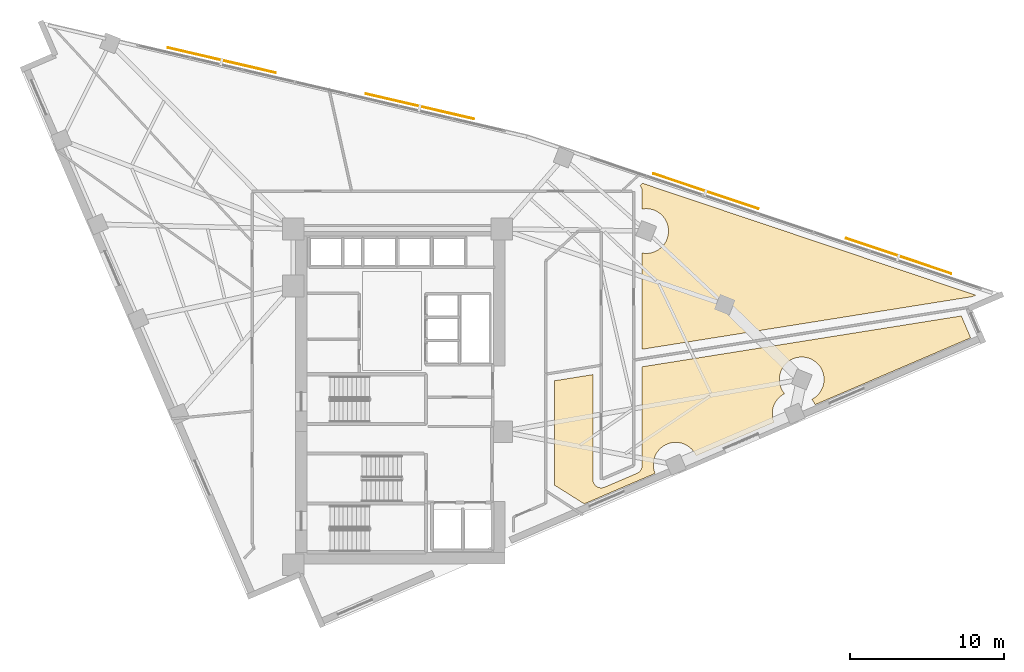
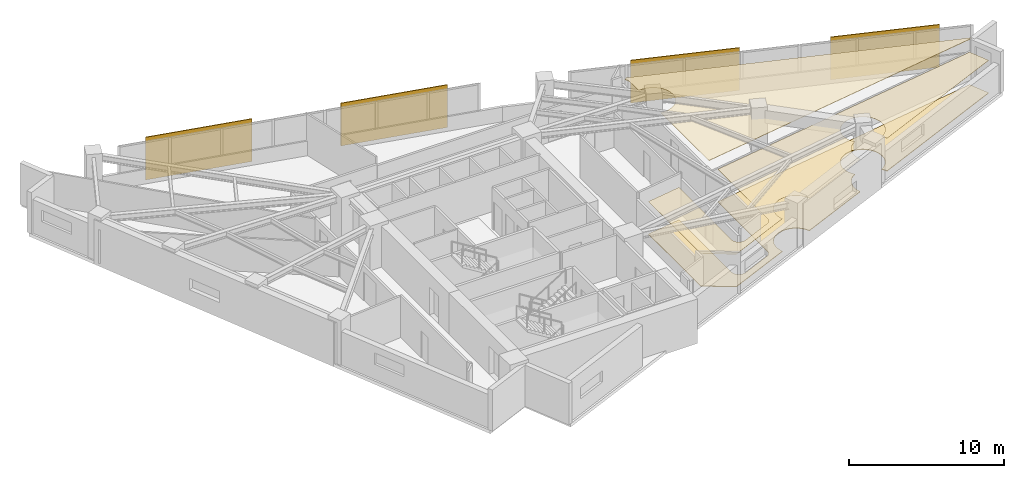
# One storey, part 14 of 14: 4 shading devices, 3 coverings.
"""IFC4 building model written with IfcOpenShell, lengths in metres."""

import ifcopenshell
import ifcopenshell.guid

model = None  # the IFC model being written
_history = None  # IfcOwnerHistory: only IFC2X3 demands one
_inside = {}  # id of a spatial element -> (the spatial element, [elements in it])
_under = {}  # id of a project, library or spatial element -> (it, [spatial elements below it])
_declared = {}  # id of a project -> (the project, [libraries it declares])
_typed = {}  # id of a type object -> (the type object, [elements of that type])
_made_of = {}  # id of a material, layer set ... -> (it, [elements and type objects made of it])


def new_model(schema):
    """Start an empty IFC model of exactly this schema.

    Asked for "IFC4X3", IfcOpenShell would pick the latest addendum, in which some entities
    have other attributes; the version numbers below select the first issue.
    IFC2X3 requires an IfcOwnerHistory on every rooted entity: one is made here for all.
    """
    global model, _history
    if schema == "IFC4X3":
        model = ifcopenshell.file(schema_version=(4, 3, 0, 0))
    else:
        model = ifcopenshell.file(schema=schema)
    _inside.clear()
    _under.clear()
    _declared.clear()
    _typed.clear()
    _made_of.clear()
    _history = None
    if model.schema == "IFC2X3":
        org = make("IfcOrganization", Name="unknown")
        user = make(
            "IfcPersonAndOrganization",
            ThePerson=make("IfcPerson", FamilyName="unknown"),
            TheOrganization=org,
        )
        app = make(
            "IfcApplication",
            ApplicationDeveloper=org,
            Version="unknown",
            ApplicationFullName="unknown",
            ApplicationIdentifier="unknown",
        )
        _history = make(
            "IfcOwnerHistory",
            OwningUser=user,
            OwningApplication=app,
            ChangeAction="ADDED",
            CreationDate=0,
        )
    return model


def make(cls, **values):
    """One entity of the class cls with the attributes given. An attribute that is None is left unset."""
    return model.create_entity(
        cls, **{name: value for name, value in values.items() if value is not None}
    )


def rooted(cls, **values):
    """An entity with a GlobalId (a new one), such as an element, a storey or a relation."""
    return make(cls, GlobalId=ifcopenshell.guid.new(), OwnerHistory=_history, **values)


def si_unit(unit_type, name, prefix=None):
    """IfcSIUnit, for example si_unit("LENGTHUNIT", "METRE", prefix="MILLI")."""
    return make("IfcSIUnit", UnitType=unit_type, Prefix=prefix, Name=name)


def assignment(units):
    """IfcUnitAssignment: the units of a project."""
    return None if units is None else make("IfcUnitAssignment", Units=units)


def point(xyz):
    """IfcCartesianPoint."""
    return None if xyz is None else make("IfcCartesianPoint", Coordinates=xyz)


def direction(xyz):
    """IfcDirection."""
    return None if xyz is None else make("IfcDirection", DirectionRatios=xyz)


def frame(location, z_axis=None, x_axis=None):
    """IfcAxis2Placement3D, a coordinate frame: its origin and axes. An axis left out is left unset."""
    return make(
        "IfcAxis2Placement3D",
        Location=point(location),
        Axis=direction(z_axis),
        RefDirection=direction(x_axis),
    )


def frame_2d(location, x_axis=None):
    """IfcAxis2Placement2D, a coordinate frame in the plane: its origin and x axis."""
    return make(
        "IfcAxis2Placement2D", Location=point(location), RefDirection=direction(x_axis)
    )


def origin():
    """The frame at (0, 0, 0) with its axes left unset."""
    return frame((0.0, 0.0, 0.0))


def origin_2d():
    """The frame at (0, 0) in the plane with its x axis left unset."""
    return frame_2d((0.0, 0.0))


def place(relative_to, where):
    """IfcLocalPlacement: puts the frame where relative to a parent placement (None: the world)."""
    return make(
        "IfcLocalPlacement", PlacementRelTo=relative_to, RelativePlacement=where
    )


def context(
    kind, dimensions, precision=None, world=None, true_north=None, identifier=None
):
    """IfcGeometricRepresentationContext, for example the 3D "Model" context."""
    return make(
        "IfcGeometricRepresentationContext",
        ContextIdentifier=identifier,
        ContextType=kind,
        CoordinateSpaceDimension=dimensions,
        Precision=precision,
        WorldCoordinateSystem=world,
        TrueNorth=true_north,
    )


def subcontext(parent, identifier, kind, view, scale=None):
    """IfcGeometricRepresentationSubContext, for example "Body" below "Model"."""
    return make(
        "IfcGeometricRepresentationSubContext",
        ContextIdentifier=identifier,
        ContextType=kind,
        ParentContext=parent,
        TargetScale=scale,
        TargetView=view,
    )


def project(units=None, contexts=None):
    """IfcProject with its units and contexts."""
    return rooted(
        "IfcProject",
        Name="project",
        RepresentationContexts=contexts,
        UnitsInContext=assignment(units),
    )


def spatial(cls, under=None, at=None, **own):
    """A site, building, storey or space (cls), placed at a placement, below another one or the project."""
    s = rooted(cls, ObjectPlacement=at, **own)
    if under is not None:
        _under.setdefault(under.id(), (under, []))[1].append(s)
    return s


def polyline(points):
    """IfcPolyline through the points."""
    return make("IfcPolyline", Points=[point(p) for p in points])


def profile(cls, at=None, kind="AREA", **sizes):
    """A parametric profile (cls). Its sizes go by their IFC names, for example OverallWidth=200.0."""
    return make(cls, ProfileType=kind, Position=at, **sizes)


def rectangle(**sizes):
    """IfcRectangleProfileDef."""
    return profile("IfcRectangleProfileDef", **sizes)


def outline(outer, holes=None, kind="AREA"):
    """IfcArbitraryClosedProfileDef: a profile drawn as a closed curve; with holes, ...WithVoids."""
    if holes is None:
        return make("IfcArbitraryClosedProfileDef", ProfileType=kind, OuterCurve=outer)
    return make(
        "IfcArbitraryProfileDefWithVoids",
        ProfileType=kind,
        OuterCurve=outer,
        InnerCurves=holes,
    )


def extrude(swept, where, along, depth):
    """IfcExtrudedAreaSolid: the profile swept, set in the frame where, extruded along a direction by depth."""
    return make(
        "IfcExtrudedAreaSolid",
        SweptArea=swept,
        Position=where,
        ExtrudedDirection=direction(along),
        Depth=depth,
    )


def shape(context_of_items, identifier, shape_type, items):
    """IfcShapeRepresentation: the items that make up one representation, for example the "Body"."""
    return make(
        "IfcShapeRepresentation",
        ContextOfItems=context_of_items,
        RepresentationIdentifier=identifier,
        RepresentationType=shape_type,
        Items=items,
    )


def material(Name=None, Category=None):
    """IfcMaterial."""
    return make("IfcMaterial", Name=Name, Category=Category)


def layer(
    of_material, thickness, ventilated=None, Name=None, Category=None, Priority=None
):
    """IfcMaterialLayer: one layer of a wall or slab, of a material (None: an air gap)."""
    return make(
        "IfcMaterialLayer",
        Material=of_material,
        LayerThickness=thickness,
        IsVentilated=ventilated,
        Name=Name,
        Category=Category,
        Priority=Priority,
    )


def layer_set(layers, Name=None):
    """IfcMaterialLayerSet."""
    return make("IfcMaterialLayerSet", MaterialLayers=layers, LayerSetName=Name)


def made_of(thing, what):
    """Note that an element or type object is made of a material, layer set ...; save() writes the relation."""
    if what is not None:
        _made_of.setdefault(what.id(), (what, []))[1].append(thing)
    return thing


def type_object(cls, material=None, **own):
    """A type object (cls), such as IfcWallType, which elements share."""
    return made_of(rooted(cls, **own), material)


def element(
    cls,
    number,
    at=None,
    inside=None,
    cuts=None,
    type_object=None,
    material=None,
    context=None,
    identifier="Body",
    shape_type=None,
    held_by="IfcProductDefinitionShape",
    body=None,
    shapes=None,
    **own,
):
    """One element of the class cls, such as IfcWall. Its Tag is "e" and its number.

    at: its placement. inside: the storey or other place that contains it. cuts: it is an
    opening in that element (IfcRelVoidsElement). A single representation is given by context,
    identifier, shape_type and body (its items); several are given by shapes. held_by: the class
    of the entity that holds the representations. save() writes the other relations.
    """
    e = rooted(cls, Tag="e%d" % number, ObjectPlacement=at, **own)
    if body is not None:
        shapes = [shape(context, identifier, shape_type, body)]
    if shapes is not None:
        e.Representation = make(held_by, Representations=shapes)
    if inside is not None:
        _inside.setdefault(inside.id(), (inside, []))[1].append(e)
    if cuts is not None:
        rooted(
            "IfcRelVoidsElement", RelatingBuildingElement=cuts, RelatedOpeningElement=e
        )
    if type_object is not None:
        _typed.setdefault(type_object.id(), (type_object, []))[1].append(e)
    return made_of(e, material)


def aggregate(whole, parts):
    """IfcRelAggregates: a whole, such as a stair, and the parts it consists of."""
    return rooted("IfcRelAggregates", RelatingObject=whole, RelatedObjects=parts)


def save(model, path):
    """Write the relations noted so far, then the file.

    IfcRelAggregates (storeys below a building ...), IfcRelContainedInSpatialStructure (elements
    in a storey), IfcRelDefinesByType, IfcRelAssociatesMaterial and IfcRelDeclares: one each for
    every whole, place, type object, material and project.
    """
    for whole, parts in _under.values():
        aggregate(whole, parts)
    for where, things in _inside.values():
        rooted(
            "IfcRelContainedInSpatialStructure",
            RelatedElements=things,
            RelatingStructure=where,
        )
    for kind, things in _typed.values():
        rooted("IfcRelDefinesByType", RelatedObjects=things, RelatingType=kind)
    for what, things in _made_of.values():
        rooted("IfcRelAssociatesMaterial", RelatedObjects=things, RelatingMaterial=what)
    for by, libraries in _declared.values():
        rooted("IfcRelDeclares", RelatingContext=by, RelatedDefinitions=libraries)
    model.write(path)


model = new_model("IFC4")

# Units and contexts
model_context = context("Model", 3, precision=1e-05, world=origin(), true_north=direction((0.0, 1.0)))
body_context = subcontext(model_context, "Body", "Model", "MODEL_VIEW")
ifc_project = project(units=[si_unit("LENGTHUNIT", "METRE"), si_unit("AREAUNIT", "SQUARE_METRE"), si_unit("VOLUMEUNIT", "CUBIC_METRE"), si_unit("PLANEANGLEUNIT", "RADIAN"), si_unit("MASSUNIT", "GRAM", prefix="KILO")], contexts=[model_context])

# Site, building, storey
site_placement = place(None, origin())
site = spatial("IfcSite", under=ifc_project, at=site_placement, CompositionType="ELEMENT")
building_placement = place(site_placement, origin())
building = spatial("IfcBuilding", under=site, at=building_placement, Name="Narakoshi Arena Tower", CompositionType="ELEMENT")
storey_placement = place(building_placement, frame((0.0, 0.0, 179.10009765625)))
storey = spatial("IfcBuildingStorey", under=building, at=storey_placement, Name="L48", CompositionType="ELEMENT", Elevation=179.10009765625)

# Coverings
ifc_material_1 = material(Name="Acoustic mineral-fibre ceiling tile")
ifc_layer_1 = layer(ifc_material_1, 0.02001953125)
ifc_layer_set_1 = layer_set([ifc_layer_1], Name="Acoustic mineral-fibre ceiling tile")
covering_type_1 = type_object("IfcCoveringType", Name="COV-CLG-AC20", PredefinedType="CEILING", material=ifc_layer_set_1)
covering_1_placement = place(storey_placement, frame((0.0, 0.0, 2.58984375)))
element("IfcCovering", 1, at=covering_1_placement, inside=storey, type_object=covering_type_1, Name="L48 Suspended Acoustic Ceiling 1", PredefinedType="CEILING", context=body_context, shape_type="SweptSolid", body=[
    extrude(outline(polyline([(115.97412109375, 49.435791015625), (105.87646484375, 45.09765625), (105.828125, 45.199951171875), (105.7548828125, 45.322021484375), (105.670166015625, 45.436279296875), (105.662109375, 45.4453125), (105.693359375, 45.4599609375), (105.8154296875, 45.533203125), (105.9296875, 45.617919921875), (106.03515625, 45.71337890625), (106.130859375, 45.81884765625), (106.215576171875, 45.93310546875), (106.288818359375, 46.055419921875), (106.349609375, 46.183837890625), (106.3974609375, 46.31787109375), (106.431884765625, 46.455810546875), (106.452880859375, 46.5966796875), (106.4599609375, 46.73876953125), (106.452880859375, 46.880859375), (106.431884765625, 47.021728515625), (106.3974609375, 47.15966796875), (106.349609375, 47.293701171875), (106.288818359375, 47.42236328125), (106.215576171875, 47.54443359375), (106.130859375, 47.65869140625), (106.03515625, 47.76416015625), (105.9296875, 47.859619140625), (105.8154296875, 47.9443359375), (105.693359375, 48.017578125), (105.564697265625, 48.078369140625), (105.430908203125, 48.12646484375), (105.292724609375, 48.160888671875), (105.152099609375, 48.181884765625), (105.010009765625, 48.188720703125), (104.867919921875, 48.181884765625), (104.72705078125, 48.160888671875), (104.589111328125, 48.12646484375), (104.455078125, 48.078369140625), (104.326416015625, 48.017578125), (104.204345703125, 47.9443359375), (104.090087890625, 47.859619140625), (103.984619140625, 47.76416015625), (103.888916015625, 47.65869140625), (103.80419921875, 47.54443359375), (103.731201171875, 47.42236328125), (103.67041015625, 47.293701171875), (103.622314453125, 47.15966796875), (103.587890625, 47.021728515625), (103.56689453125, 46.880859375), (103.559814453125, 46.73876953125), (103.56689453125, 46.5966796875), (103.587890625, 46.455810546875), (103.622314453125, 46.31787109375), (103.67041015625, 46.183837890625), (103.731201171875, 46.055419921875), (103.80419921875, 45.93310546875), (103.888916015625, 45.81884765625), (103.897216796875, 45.81005859375), (103.86572265625, 45.79541015625), (103.74365234375, 45.72216796875), (103.62939453125, 45.637451171875), (103.52392578125, 45.541748046875), (103.428466796875, 45.436279296875), (103.34375, 45.322021484375), (103.2705078125, 45.199951171875), (103.209716796875, 45.0712890625), (103.16162109375, 44.9375), (103.127197265625, 44.79931640625), (103.106201171875, 44.65869140625), (103.099365234375, 44.5166015625), (103.106201171875, 44.37451171875), (103.127197265625, 44.233642578125), (103.16162109375, 44.095703125), (103.209716796875, 43.961669921875), (103.21337890625, 43.95361328125), (98.1572265625, 41.78125), (98.10888671875, 41.883544921875), (98.03564453125, 42.005615234375), (97.950927734375, 42.1201171875), (97.85546875, 42.225341796875), (97.75, 42.321044921875), (97.6357421875, 42.40576171875), (97.513671875, 42.47900390625), (97.385009765625, 42.539794921875), (97.2509765625, 42.587646484375), (97.113037109375, 42.622314453125), (96.97216796875, 42.64306640625), (96.830078125, 42.650146484375), (96.68798828125, 42.64306640625), (96.547119140625, 42.622314453125), (96.4091796875, 42.587646484375), (96.275146484375, 42.539794921875), (96.146484375, 42.47900390625), (96.0244140625, 42.40576171875), (95.91015625, 42.321044921875), (95.8046875, 42.225341796875), (95.709228515625, 42.1201171875), (95.62451171875, 42.005615234375), (95.55126953125, 41.883544921875), (95.490478515625, 41.7548828125), (95.4423828125, 41.62109375), (95.407958984375, 41.48291015625), (95.38720703125, 41.34228515625), (95.380126953125, 41.2001953125), (95.38720703125, 41.05810546875), (95.407958984375, 40.917236328125), (95.4423828125, 40.779296875), (95.490478515625, 40.645263671875), (95.494384765625, 40.63720703125), (90.895751953125, 38.661376953125), (88.949951171875, 39.88427734375), (88.949951171875, 46.647705078125), (91.455078125, 47.046630859375), (91.455078125, 40.248046875), (91.457763671875, 40.19384765625), (91.4658203125, 40.14013671875), (91.47900390625, 40.08740234375), (91.497314453125, 40.036376953125), (91.520751953125, 39.9873046875), (91.548828125, 39.940673828125), (91.581298828125, 39.897216796875), (91.6181640625, 39.857177734375), (91.65869140625, 39.82080078125), (91.702392578125, 39.788818359375), (91.749267578125, 39.76123046875), (91.798583984375, 39.73828125), (91.849853515625, 39.720458984375), (91.902587890625, 39.707763671875), (91.95654296875, 39.7001953125), (92.0107421875, 39.697998046875), (92.06494140625, 39.701416015625), (92.11865234375, 39.7099609375), (92.171142578125, 39.723876953125), (92.22216796875, 39.742919921875), (93.439697265625, 40.265869140625), (94.322021484375, 40.64501953125), (94.3701171875, 40.66845703125), (94.41552734375, 40.696533203125), (94.4580078125, 40.728759765625), (94.497314453125, 40.764892578125), (94.53271484375, 40.8046875), (94.564208984375, 40.847900390625), (94.591552734375, 40.893798828125), (94.614013671875, 40.942138671875), (94.6318359375, 40.992431640625), (94.644775390625, 41.044189453125), (94.65234375, 41.09716796875), (94.655029296875, 41.150390625), (94.655029296875, 47.556396484375), (115.364501953125, 50.85498046875), (115.97412109375, 49.435791015625)])), origin(), (0.0, 0.0, 1.0), 0.02001953125),
])
ifc_material_2 = material(Name="Slatted oak acoustic timber baffle", Category="wood")
ifc_layer_2 = layer(ifc_material_2, 0.034912109375)
ifc_layer_set_2 = layer_set([ifc_layer_2], Name="Slatted oak acoustic timber baffle")
covering_type_2 = type_object("IfcCoveringType", Name="COV-CLG-WD35", PredefinedType="CEILING", material=ifc_layer_set_2)
covering_2_placement = place(storey_placement, frame((0.0, 0.0, 2.574951171875)))
element("IfcCovering", 2, at=covering_2_placement, inside=storey, type_object=covering_type_2, Name="L48 Suspended Acoustic Ceiling 2", PredefinedType="CEILING", context=body_context, shape_type="SweptSolid", body=[
    extrude(outline(polyline([(94.678955078125, 59.462890625), (116.30224609375, 52.20361328125), (116.075927734375, 52.1064453125), (94.655029296875, 48.6943359375), (94.655029296875, 54.941162109375), (94.772705078125, 54.923583984375), (94.914794921875, 54.916748046875), (95.056884765625, 54.923583984375), (95.197509765625, 54.944580078125), (95.335693359375, 54.97900390625), (95.469482421875, 55.027099609375), (95.59814453125, 55.087890625), (95.72021484375, 55.1611328125), (95.834716796875, 55.245849609375), (95.93994140625, 55.34130859375), (96.03564453125, 55.44677734375), (96.120361328125, 55.56103515625), (96.193603515625, 55.68310546875), (96.25439453125, 55.811767578125), (96.30224609375, 55.94580078125), (96.3369140625, 56.083740234375), (96.357666015625, 56.224609375), (96.36474609375, 56.36669921875), (96.357666015625, 56.5087890625), (96.3369140625, 56.649658203125), (96.30224609375, 56.78759765625), (96.25439453125, 56.921630859375), (96.193603515625, 57.05029296875), (96.120361328125, 57.17236328125), (96.03564453125, 57.28662109375), (95.93994140625, 57.39208984375), (95.834716796875, 57.487548828125), (95.72021484375, 57.572265625), (95.59814453125, 57.6455078125), (95.469482421875, 57.706298828125), (95.335693359375, 57.75439453125), (95.197509765625, 57.788818359375), (95.056884765625, 57.809814453125), (94.914794921875, 57.816650390625), (94.772705078125, 57.809814453125), (94.655029296875, 57.792236328125), (94.655029296875, 58.944091796875), (94.65234375, 58.997802734375), (94.644287109375, 59.05126953125), (94.63134765625, 59.103759765625), (94.613037109375, 59.154541015625), (94.590087890625, 59.203369140625), (94.562255859375, 59.24951171875), (94.5302734375, 59.29296875), (94.513916015625, 59.310791015625), (94.678955078125, 59.462890625)])), origin(), (0.0, 0.0, 1.0), 0.034912109375),
])
ifc_material_3 = material(Name="Raised steel access floor panel", Category="steel")
ifc_layer_3 = layer(ifc_material_3, 0.044921875)
ifc_layer_set_3 = layer_set([ifc_layer_3], Name="Raised steel access floor panel")
covering_type_3 = type_object("IfcCoveringType", Name="COV-FLR-RF45", PredefinedType="FLOORING", material=ifc_layer_set_3)
covering_3_placement = place(storey_placement, origin())
element("IfcCovering", 3, at=covering_3_placement, inside=storey, type_object=covering_type_3, Name="L48 Raised Steel Access Floor", PredefinedType="FLOORING", context=body_context, shape_type="SweptSolid", body=[
    extrude(outline(polyline([(115.97412109375, 49.435791015625), (105.87646484375, 45.09765625), (105.828125, 45.199951171875), (105.7548828125, 45.322021484375), (105.670166015625, 45.436279296875), (105.662109375, 45.4453125), (105.693359375, 45.4599609375), (105.8154296875, 45.533203125), (105.9296875, 45.617919921875), (106.03515625, 45.71337890625), (106.130859375, 45.81884765625), (106.215576171875, 45.93310546875), (106.288818359375, 46.055419921875), (106.349609375, 46.183837890625), (106.3974609375, 46.31787109375), (106.431884765625, 46.455810546875), (106.452880859375, 46.5966796875), (106.4599609375, 46.73876953125), (106.452880859375, 46.880859375), (106.431884765625, 47.021728515625), (106.3974609375, 47.15966796875), (106.349609375, 47.293701171875), (106.288818359375, 47.42236328125), (106.215576171875, 47.54443359375), (106.130859375, 47.65869140625), (106.03515625, 47.76416015625), (105.9296875, 47.859619140625), (105.8154296875, 47.9443359375), (105.693359375, 48.017578125), (105.564697265625, 48.078369140625), (105.430908203125, 48.12646484375), (105.292724609375, 48.160888671875), (105.152099609375, 48.181884765625), (105.010009765625, 48.188720703125), (104.867919921875, 48.181884765625), (104.72705078125, 48.160888671875), (104.589111328125, 48.12646484375), (104.455078125, 48.078369140625), (104.326416015625, 48.017578125), (104.204345703125, 47.9443359375), (104.090087890625, 47.859619140625), (103.984619140625, 47.76416015625), (103.888916015625, 47.65869140625), (103.80419921875, 47.54443359375), (103.731201171875, 47.42236328125), (103.67041015625, 47.293701171875), (103.622314453125, 47.15966796875), (103.587890625, 47.021728515625), (103.56689453125, 46.880859375), (103.559814453125, 46.73876953125), (103.56689453125, 46.5966796875), (103.587890625, 46.455810546875), (103.622314453125, 46.31787109375), (103.67041015625, 46.183837890625), (103.731201171875, 46.055419921875), (103.80419921875, 45.93310546875), (103.888916015625, 45.81884765625), (103.897216796875, 45.81005859375), (103.86572265625, 45.79541015625), (103.74365234375, 45.72216796875), (103.62939453125, 45.637451171875), (103.52392578125, 45.541748046875), (103.428466796875, 45.436279296875), (103.34375, 45.322021484375), (103.2705078125, 45.199951171875), (103.209716796875, 45.0712890625), (103.16162109375, 44.9375), (103.127197265625, 44.79931640625), (103.106201171875, 44.65869140625), (103.099365234375, 44.5166015625), (103.106201171875, 44.37451171875), (103.127197265625, 44.233642578125), (103.16162109375, 44.095703125), (103.209716796875, 43.961669921875), (103.21337890625, 43.95361328125), (98.1572265625, 41.78125), (98.10888671875, 41.883544921875), (98.03564453125, 42.005615234375), (97.950927734375, 42.1201171875), (97.85546875, 42.225341796875), (97.75, 42.321044921875), (97.6357421875, 42.40576171875), (97.513671875, 42.47900390625), (97.385009765625, 42.539794921875), (97.2509765625, 42.587646484375), (97.113037109375, 42.622314453125), (96.97216796875, 42.64306640625), (96.830078125, 42.650146484375), (96.68798828125, 42.64306640625), (96.547119140625, 42.622314453125), (96.4091796875, 42.587646484375), (96.275146484375, 42.539794921875), (96.146484375, 42.47900390625), (96.0244140625, 42.40576171875), (95.91015625, 42.321044921875), (95.8046875, 42.225341796875), (95.709228515625, 42.1201171875), (95.62451171875, 42.005615234375), (95.55126953125, 41.883544921875), (95.490478515625, 41.7548828125), (95.4423828125, 41.62109375), (95.407958984375, 41.48291015625), (95.38720703125, 41.34228515625), (95.380126953125, 41.2001953125), (95.38720703125, 41.05810546875), (95.407958984375, 40.917236328125), (95.4423828125, 40.779296875), (95.490478515625, 40.645263671875), (95.494384765625, 40.63720703125), (90.895751953125, 38.661376953125), (88.949951171875, 39.88427734375), (88.949951171875, 46.647705078125), (91.455078125, 47.046630859375), (91.455078125, 40.248046875), (91.457763671875, 40.19384765625), (91.4658203125, 40.14013671875), (91.47900390625, 40.08740234375), (91.497314453125, 40.036376953125), (91.520751953125, 39.9873046875), (91.548828125, 39.940673828125), (91.581298828125, 39.897216796875), (91.6181640625, 39.857177734375), (91.65869140625, 39.82080078125), (91.702392578125, 39.788818359375), (91.749267578125, 39.76123046875), (91.798583984375, 39.73828125), (91.849853515625, 39.720458984375), (91.902587890625, 39.707763671875), (91.95654296875, 39.7001953125), (92.0107421875, 39.697998046875), (92.06494140625, 39.701416015625), (92.11865234375, 39.7099609375), (92.171142578125, 39.723876953125), (92.22216796875, 39.742919921875), (93.439697265625, 40.265869140625), (94.322021484375, 40.64501953125), (94.3701171875, 40.66845703125), (94.41552734375, 40.696533203125), (94.4580078125, 40.728759765625), (94.497314453125, 40.764892578125), (94.53271484375, 40.8046875), (94.564208984375, 40.847900390625), (94.591552734375, 40.893798828125), (94.614013671875, 40.942138671875), (94.6318359375, 40.992431640625), (94.644775390625, 41.044189453125), (94.65234375, 41.09716796875), (94.655029296875, 41.150390625), (94.655029296875, 47.556396484375), (115.364501953125, 50.85498046875), (115.97412109375, 49.435791015625)])), origin(), (0.0, 0.0, 1.0), 0.044921875),
])

# Shading devices
ifc_material_4 = material(Name="Perforated bronze ceramic-metal composite")
ifc_layer_4 = layer(ifc_material_4, 0.06005859375)
ifc_layer_set_4 = layer_set([ifc_layer_4], Name="Perforated bronze ceramic-metal composite")
shading_device_type = type_object("IfcShadingDeviceType", Name="SHD-SCR-BRZ2", PredefinedType="USERDEFINED", material=ifc_layer_set_4)
for number, where, z_axis, x_axis, name in (
    (4, (111.30126953125, 54.747314453125, -0.000244140625), (0.0, 0.0, 1.0), (-0.948001964735, 0.318264473134, 0.0), "L48 Perforated Bronze Solar Screen 1-1"),
    (5, (98.78759765625, 58.948486328125, -0.000244140625), (0.0, 0.0, 1.0), (-0.948001964735, 0.318264473134, 0.0), "L48 Perforated Bronze Solar Screen 1-2"),
    (6, (80.23193359375, 64.455078125, -0.000244140625), (0.0, 0.0, 1.0), (-0.973960141659, 0.226719303234, 0.0), "L48 Perforated Bronze Solar Screen 2-1"),
    (7, (67.37548828125, 67.447998046875, -0.000244140625), (0.0, 0.0, 1.0), (-0.973960141659, 0.226719303234, 0.0), "L48 Perforated Bronze Solar Screen 2-2"),
):
    element("IfcShadingDevice", number, at=place(storey_placement, frame(where, z_axis=z_axis, x_axis=x_axis)), inside=storey, type_object=shading_device_type, Name=name, ObjectType="SOLAR SCREEN", PredefinedType="USERDEFINED", context=body_context, shape_type="SweptSolid", body=[
        extrude(rectangle(XDim=7.199951171875, YDim=0.06005859375, at=origin_2d()), origin(), (0.0, 0.0, 1.0), 3.3701171875),
    ])

save(model, "model.ifc")
